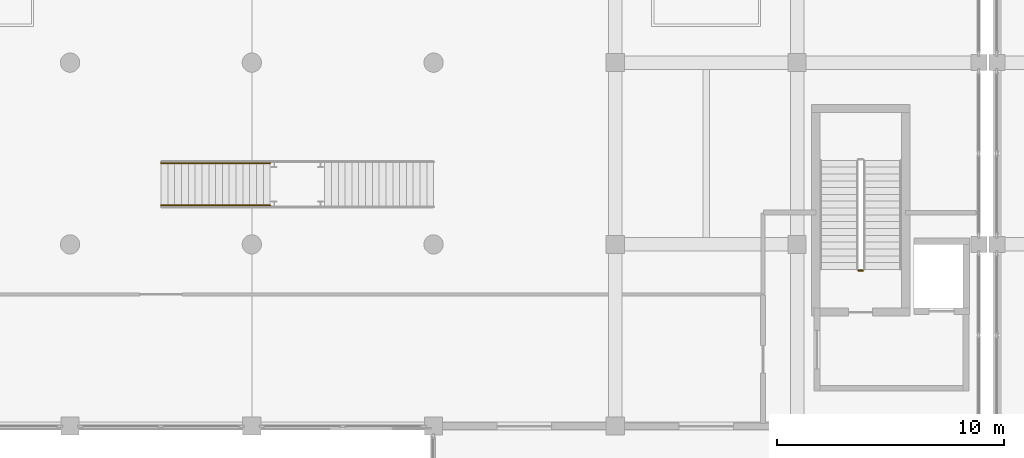
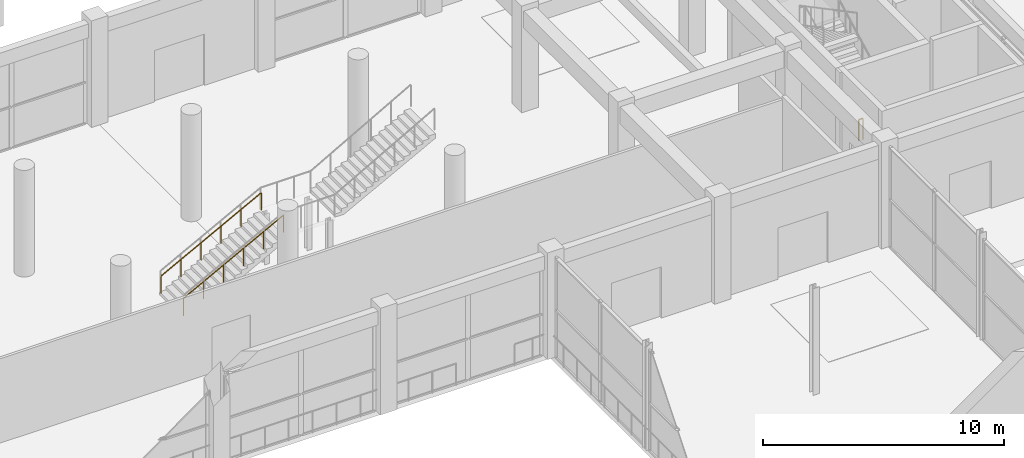
# One storey, part 71 of 86: 3 railings.
"""IFC4 building model written with IfcOpenShell, lengths in metres."""

from ifc_helpers import new_model, si_unit, direction, frame, origin, origin_2d, place, context, subcontext, project, spatial, circle, extrude, material, type_object, element, save


model = new_model("IFC4")

# Units and contexts
model_context = context("Model", 3, precision=1e-05, world=origin(), true_north=direction((0.0, 1.0)))
body_context = subcontext(model_context, "Body", "Model", "MODEL_VIEW")
ifc_project = project(units=[si_unit("LENGTHUNIT", "METRE"), si_unit("AREAUNIT", "SQUARE_METRE"), si_unit("VOLUMEUNIT", "CUBIC_METRE"), si_unit("PLANEANGLEUNIT", "RADIAN"), si_unit("MASSUNIT", "GRAM", prefix="KILO")], contexts=[model_context])

# Site, building, storey
site_placement = place(None, origin())
site = spatial("IfcSite", under=ifc_project, at=site_placement, CompositionType="ELEMENT")
building_placement = place(site_placement, origin())
building = spatial("IfcBuilding", under=site, at=building_placement, Name="Kenh Van Central Station", CompositionType="ELEMENT")
storey_placement = place(building_placement, origin())
storey = spatial("IfcBuildingStorey", under=building, at=storey_placement, Name="L00", CompositionType="ELEMENT", Elevation=0.0)

# Railings
ifc_material = material(Name="Champagne anodised aluminium", Category="aluminium")
railing_type_1 = type_object("IfcRailingType", Name="RAIL-CORE-GRD110", PredefinedType="GUARDRAIL", material=ifc_material)
railing_placement = place(storey_placement, frame((114.89990234375, 22.85009765625, 0.0)))
element("IfcRailing", 1, at=railing_placement, inside=storey, type_object=railing_type_1, Name="L00 ST-04 stair guard 4", PredefinedType="GUARDRAIL", context=body_context, shape_type="SweptSolid", body=[
    extrude(circle(Radius=0.02392578125, at=origin_2d()), frame((0.0, 0.0, 1.076171875), z_axis=(-1.0, 0.0, 0.0), x_axis=(0.0, -1.0, 0.0)), (0.0, 0.0, 1.0), 0.199951171875),
    extrude(circle(Radius=0.02099609375, at=origin_2d()), origin(), (0.0, 0.0, 1.0), 1.052001953125),
    extrude(circle(Radius=0.02099609375, at=origin_2d()), frame((-0.199951171875, 0.0, 0.0)), (0.0, 0.0, 1.0), 1.052001953125),
])
railing_type_2 = type_object("IfcRailingType", Name="RAIL-CORE-HND90", PredefinedType="HANDRAIL", material=ifc_material)
for number, where, name in (
    (2, (84.0048828125, 25.719970703125, 0.158935546875), "Ticket Hall Atrium Concourse Stair handrail 1"),
    (3, (84.0048828125, 27.580078125, 0.158935546875), "Ticket Hall Atrium Concourse Stair handrail 2"),
):
    element("IfcRailing", number, at=place(storey_placement, frame(where)), inside=storey, type_object=railing_type_2, Name=name, PredefinedType="HANDRAIL", context=body_context, shape_type="SweptSolid", body=[
        extrude(circle(Radius=0.02392578125, at=origin_2d()), frame((0.0, 0.0, 0.8759765625), z_axis=(0.883802130504, 0.0, 0.467860870469), x_axis=(0.0, 1.0, 0.0)), (0.0, 0.0, 1.0), 5.43115234375),
        extrude(circle(Radius=0.02099609375, at=origin_2d()), origin(), (0.0, 0.0, 1.0), 0.851806640625),
        extrude(circle(Radius=0.02099609375, at=origin_2d()), frame((0.9599609375, 0.0, 0.50830078125)), (0.0, 0.0, 1.0), 0.851806640625),
        extrude(circle(Radius=0.02099609375, at=origin_2d()), frame((1.919921875, 0.0, 1.016357421875)), (0.0, 0.0, 1.0), 0.851806640625),
        extrude(circle(Radius=0.02099609375, at=origin_2d()), frame((2.880126953125, 0.0, 1.524658203125)), (0.0, 0.0, 1.0), 0.851806640625),
        extrude(circle(Radius=0.02099609375, at=origin_2d()), frame((3.840087890625, 0.0, 2.03271484375)), (0.0, 0.0, 1.0), 0.851806640625),
        extrude(circle(Radius=0.02099609375, at=origin_2d()), frame((4.800048828125, 0.0, 2.541015625)), (0.0, 0.0, 1.0), 0.851806640625),
    ])

save(model, "model.ifc")
